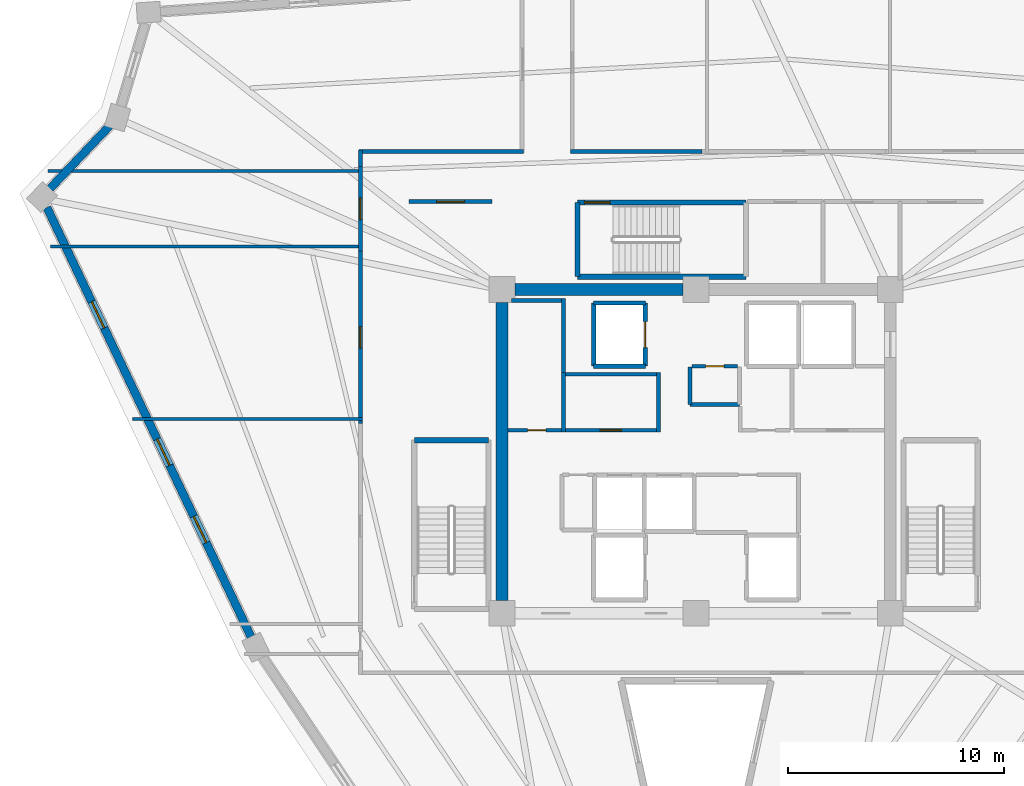
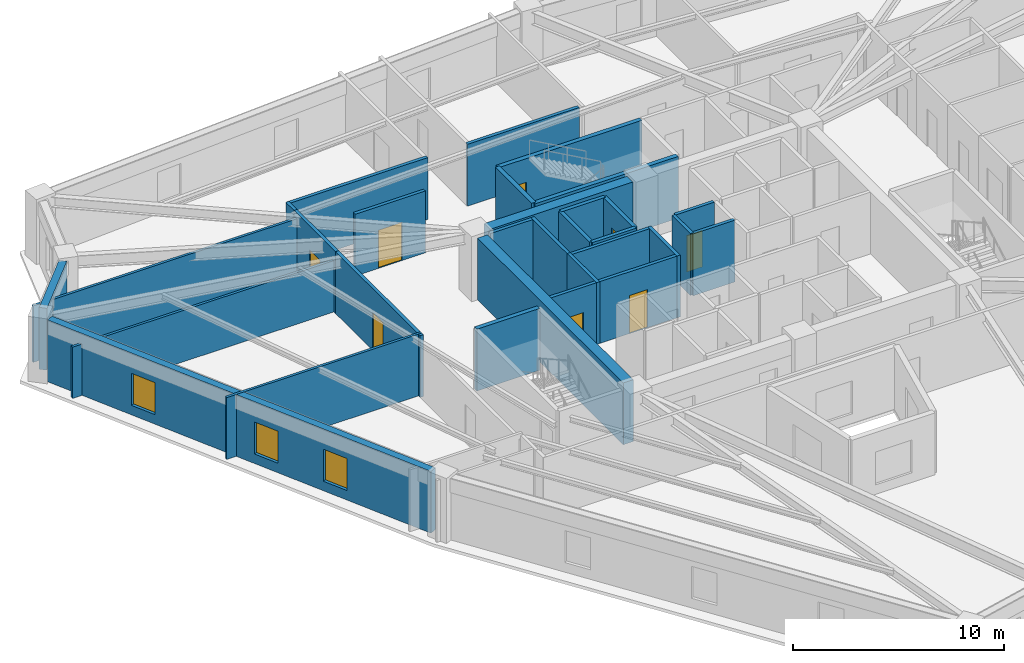
# One storey, part 5 of 8: 31 walls, 8 doors, 3 windows, 11 openings.
"""IFC4 building model written with IfcOpenShell, lengths in metres."""

import ifcopenshell
import ifcopenshell.guid

model = None  # the IFC model being written
_history = None  # IfcOwnerHistory: only IFC2X3 demands one
_inside = {}  # id of a spatial element -> (the spatial element, [elements in it])
_under = {}  # id of a project, library or spatial element -> (it, [spatial elements below it])
_declared = {}  # id of a project -> (the project, [libraries it declares])
_typed = {}  # id of a type object -> (the type object, [elements of that type])
_made_of = {}  # id of a material, layer set ... -> (it, [elements and type objects made of it])


def new_model(schema):
    """Start an empty IFC model of exactly this schema.

    Asked for "IFC4X3", IfcOpenShell would pick the latest addendum, in which some entities
    have other attributes; the version numbers below select the first issue.
    IFC2X3 requires an IfcOwnerHistory on every rooted entity: one is made here for all.
    """
    global model, _history
    if schema == "IFC4X3":
        model = ifcopenshell.file(schema_version=(4, 3, 0, 0))
    else:
        model = ifcopenshell.file(schema=schema)
    _inside.clear()
    _under.clear()
    _declared.clear()
    _typed.clear()
    _made_of.clear()
    _history = None
    if model.schema == "IFC2X3":
        org = make("IfcOrganization", Name="unknown")
        user = make(
            "IfcPersonAndOrganization",
            ThePerson=make("IfcPerson", FamilyName="unknown"),
            TheOrganization=org,
        )
        app = make(
            "IfcApplication",
            ApplicationDeveloper=org,
            Version="unknown",
            ApplicationFullName="unknown",
            ApplicationIdentifier="unknown",
        )
        _history = make(
            "IfcOwnerHistory",
            OwningUser=user,
            OwningApplication=app,
            ChangeAction="ADDED",
            CreationDate=0,
        )
    return model


def make(cls, **values):
    """One entity of the class cls with the attributes given. An attribute that is None is left unset."""
    return model.create_entity(
        cls, **{name: value for name, value in values.items() if value is not None}
    )


def rooted(cls, **values):
    """An entity with a GlobalId (a new one), such as an element, a storey or a relation."""
    return make(cls, GlobalId=ifcopenshell.guid.new(), OwnerHistory=_history, **values)


def si_unit(unit_type, name, prefix=None):
    """IfcSIUnit, for example si_unit("LENGTHUNIT", "METRE", prefix="MILLI")."""
    return make("IfcSIUnit", UnitType=unit_type, Prefix=prefix, Name=name)


def assignment(units):
    """IfcUnitAssignment: the units of a project."""
    return None if units is None else make("IfcUnitAssignment", Units=units)


def point(xyz):
    """IfcCartesianPoint."""
    return None if xyz is None else make("IfcCartesianPoint", Coordinates=xyz)


def direction(xyz):
    """IfcDirection."""
    return None if xyz is None else make("IfcDirection", DirectionRatios=xyz)


def frame(location, z_axis=None, x_axis=None):
    """IfcAxis2Placement3D, a coordinate frame: its origin and axes. An axis left out is left unset."""
    return make(
        "IfcAxis2Placement3D",
        Location=point(location),
        Axis=direction(z_axis),
        RefDirection=direction(x_axis),
    )


def frame_2d(location, x_axis=None):
    """IfcAxis2Placement2D, a coordinate frame in the plane: its origin and x axis."""
    return make(
        "IfcAxis2Placement2D", Location=point(location), RefDirection=direction(x_axis)
    )


def origin():
    """The frame at (0, 0, 0) with its axes left unset."""
    return frame((0.0, 0.0, 0.0))


def place(relative_to, where):
    """IfcLocalPlacement: puts the frame where relative to a parent placement (None: the world)."""
    return make(
        "IfcLocalPlacement", PlacementRelTo=relative_to, RelativePlacement=where
    )


def context(
    kind, dimensions, precision=None, world=None, true_north=None, identifier=None
):
    """IfcGeometricRepresentationContext, for example the 3D "Model" context."""
    return make(
        "IfcGeometricRepresentationContext",
        ContextIdentifier=identifier,
        ContextType=kind,
        CoordinateSpaceDimension=dimensions,
        Precision=precision,
        WorldCoordinateSystem=world,
        TrueNorth=true_north,
    )


def subcontext(parent, identifier, kind, view, scale=None):
    """IfcGeometricRepresentationSubContext, for example "Body" below "Model"."""
    return make(
        "IfcGeometricRepresentationSubContext",
        ContextIdentifier=identifier,
        ContextType=kind,
        ParentContext=parent,
        TargetScale=scale,
        TargetView=view,
    )


def project(units=None, contexts=None):
    """IfcProject with its units and contexts."""
    return rooted(
        "IfcProject",
        Name="project",
        RepresentationContexts=contexts,
        UnitsInContext=assignment(units),
    )


def spatial(cls, under=None, at=None, **own):
    """A site, building, storey or space (cls), placed at a placement, below another one or the project."""
    s = rooted(cls, ObjectPlacement=at, **own)
    if under is not None:
        _under.setdefault(under.id(), (under, []))[1].append(s)
    return s


def profile(cls, at=None, kind="AREA", **sizes):
    """A parametric profile (cls). Its sizes go by their IFC names, for example OverallWidth=200.0."""
    return make(cls, ProfileType=kind, Position=at, **sizes)


def rectangle(**sizes):
    """IfcRectangleProfileDef."""
    return profile("IfcRectangleProfileDef", **sizes)


def extrude(swept, where, along, depth):
    """IfcExtrudedAreaSolid: the profile swept, set in the frame where, extruded along a direction by depth."""
    return make(
        "IfcExtrudedAreaSolid",
        SweptArea=swept,
        Position=where,
        ExtrudedDirection=direction(along),
        Depth=depth,
    )


def shape(context_of_items, identifier, shape_type, items):
    """IfcShapeRepresentation: the items that make up one representation, for example the "Body"."""
    return make(
        "IfcShapeRepresentation",
        ContextOfItems=context_of_items,
        RepresentationIdentifier=identifier,
        RepresentationType=shape_type,
        Items=items,
    )


def source(mapping_origin, context_of_items, identifier, shape_type, items):
    """IfcRepresentationMap: a shape defined once, which mapped items show again and again."""
    return make(
        "IfcRepresentationMap",
        MappingOrigin=mapping_origin,
        MappedRepresentation=shape(context_of_items, identifier, shape_type, items),
    )


def transform(
    local_origin,
    x_axis=None,
    y_axis=None,
    z_axis=None,
    scale=None,
    scale2=None,
    scale3=None,
    uniform=True,
):
    """IfcCartesianTransformationOperator3D, or its non-uniform kind. x_axis, y_axis, z_axis: its Axis1, 2, 3."""
    if uniform:
        return make(
            "IfcCartesianTransformationOperator3D",
            Axis1=direction(x_axis),
            Axis2=direction(y_axis),
            LocalOrigin=point(local_origin),
            Scale=scale,
            Axis3=direction(z_axis),
        )
    return make(
        "IfcCartesianTransformationOperator3DnonUniform",
        Axis1=direction(x_axis),
        Axis2=direction(y_axis),
        LocalOrigin=point(local_origin),
        Scale=scale,
        Axis3=direction(z_axis),
        Scale2=scale2,
        Scale3=scale3,
    )


def mapped(mapping_source, mapping_target):
    """IfcMappedItem: shows the shape of a source again, moved by a transform."""
    return make(
        "IfcMappedItem", MappingSource=mapping_source, MappingTarget=mapping_target
    )


def material(Name=None, Category=None):
    """IfcMaterial."""
    return make("IfcMaterial", Name=Name, Category=Category)


def layer(
    of_material, thickness, ventilated=None, Name=None, Category=None, Priority=None
):
    """IfcMaterialLayer: one layer of a wall or slab, of a material (None: an air gap)."""
    return make(
        "IfcMaterialLayer",
        Material=of_material,
        LayerThickness=thickness,
        IsVentilated=ventilated,
        Name=Name,
        Category=Category,
        Priority=Priority,
    )


def layer_set(layers, Name=None):
    """IfcMaterialLayerSet."""
    return make("IfcMaterialLayerSet", MaterialLayers=layers, LayerSetName=Name)


def made_of(thing, what):
    """Note that an element or type object is made of a material, layer set ...; save() writes the relation."""
    if what is not None:
        _made_of.setdefault(what.id(), (what, []))[1].append(thing)
    return thing


def type_object(cls, material=None, **own):
    """A type object (cls), such as IfcWallType, which elements share."""
    return made_of(rooted(cls, **own), material)


def element(
    cls,
    number,
    at=None,
    inside=None,
    cuts=None,
    type_object=None,
    material=None,
    context=None,
    identifier="Body",
    shape_type=None,
    held_by="IfcProductDefinitionShape",
    body=None,
    shapes=None,
    **own,
):
    """One element of the class cls, such as IfcWall. Its Tag is "e" and its number.

    at: its placement. inside: the storey or other place that contains it. cuts: it is an
    opening in that element (IfcRelVoidsElement). A single representation is given by context,
    identifier, shape_type and body (its items); several are given by shapes. held_by: the class
    of the entity that holds the representations. save() writes the other relations.
    """
    e = rooted(cls, Tag="e%d" % number, ObjectPlacement=at, **own)
    if body is not None:
        shapes = [shape(context, identifier, shape_type, body)]
    if shapes is not None:
        e.Representation = make(held_by, Representations=shapes)
    if inside is not None:
        _inside.setdefault(inside.id(), (inside, []))[1].append(e)
    if cuts is not None:
        rooted(
            "IfcRelVoidsElement", RelatingBuildingElement=cuts, RelatedOpeningElement=e
        )
    if type_object is not None:
        _typed.setdefault(type_object.id(), (type_object, []))[1].append(e)
    return made_of(e, material)


def fill(opening, filler):
    """IfcRelFillsElement: the door or window that sits in an opening."""
    return rooted(
        "IfcRelFillsElement",
        RelatingOpeningElement=opening,
        RelatedBuildingElement=filler,
    )


def aggregate(whole, parts):
    """IfcRelAggregates: a whole, such as a stair, and the parts it consists of."""
    return rooted("IfcRelAggregates", RelatingObject=whole, RelatedObjects=parts)


def save(model, path):
    """Write the relations noted so far, then the file.

    IfcRelAggregates (storeys below a building ...), IfcRelContainedInSpatialStructure (elements
    in a storey), IfcRelDefinesByType, IfcRelAssociatesMaterial and IfcRelDeclares: one each for
    every whole, place, type object, material and project.
    """
    for whole, parts in _under.values():
        aggregate(whole, parts)
    for where, things in _inside.values():
        rooted(
            "IfcRelContainedInSpatialStructure",
            RelatedElements=things,
            RelatingStructure=where,
        )
    for kind, things in _typed.values():
        rooted("IfcRelDefinesByType", RelatedObjects=things, RelatingType=kind)
    for what, things in _made_of.values():
        rooted("IfcRelAssociatesMaterial", RelatedObjects=things, RelatingMaterial=what)
    for by, libraries in _declared.values():
        rooted("IfcRelDeclares", RelatingContext=by, RelatedDefinitions=libraries)
    model.write(path)


model = new_model("IFC4")

# Units and contexts
model_context = context("Model", 3, precision=1e-05, world=origin(), true_north=direction((0.0, 1.0)))
body_context = subcontext(model_context, "Body", "Model", "MODEL_VIEW")
ifc_project = project(units=[si_unit("LENGTHUNIT", "METRE"), si_unit("AREAUNIT", "SQUARE_METRE"), si_unit("VOLUMEUNIT", "CUBIC_METRE"), si_unit("PLANEANGLEUNIT", "RADIAN"), si_unit("MASSUNIT", "GRAM", prefix="KILO")], contexts=[model_context])

# Site, building, storey
site_placement = place(None, origin())
site = spatial("IfcSite", under=ifc_project, at=site_placement, CompositionType="ELEMENT")
building_placement = place(site_placement, origin())
building = spatial("IfcBuilding", under=site, at=building_placement, Name="Liaohun Quay Tower", CompositionType="ELEMENT")
storey_placement = place(building_placement, frame((0.0, 0.0, 305.25)))
storey = spatial("IfcBuildingStorey", under=building, at=storey_placement, Name="L79", CompositionType="ELEMENT", Elevation=305.25)

# Walls
ifc_material_1 = material(Name="Concrete C50", Category="concrete")
ifc_layer_1 = layer(ifc_material_1, 0.550048828125, Name="Concrete C50", Category="concrete")
ifc_layer_set_1 = layer_set([ifc_layer_1], Name="Concrete C50")
wall_type_1 = type_object("IfcWallType", Name="WAL-COR-Z4", PredefinedType="SHEAR", material=ifc_layer_set_1)
wall_1_placement = place(storey_placement, frame((51.60009765625, 61.5, 0.0), z_axis=(0.0, 0.0, 1.0), x_axis=(1.0, 0.0, 0.0)))
element("IfcWall", 1, at=wall_1_placement, inside=storey, type_object=wall_type_1, Name="L79 Central Core Shear Wall N-W", PredefinedType="SHEAR", context=body_context, shape_type="SweptSolid", body=[
    extrude(rectangle(XDim=7.7998046875, YDim=0.550048828125, at=frame_2d((3.89990234375, 0.0))), origin(), (0.0, 0.0, 1.0), 3.570068359375),
])
wall_2_placement = place(storey_placement, frame((51.0, 47.10009765625, 0.0), z_axis=(0.0, 0.0, 1.0), x_axis=(0.0, 1.0, 0.0)))
element("IfcWall", 2, at=wall_2_placement, inside=storey, type_object=wall_type_1, Name="L79 Central Core Shear Wall W", PredefinedType="SHEAR", context=body_context, shape_type="SweptSolid", body=[
    extrude(rectangle(XDim=13.7998046875, YDim=0.550048828125, at=frame_2d((6.89990234375, 0.0))), origin(), (0.0, 0.0, 1.0), 3.570068359375),
])
ifc_material_2 = material(Name="Precast concrete C50 insulated sandwich", Category="concrete")
ifc_layer_2 = layer(ifc_material_2, 0.3798828125, Name="Precast concrete C50 insulated sandwich", Category="concrete")
ifc_layer_set_2 = layer_set([ifc_layer_2], Name="Precast concrete C50 insulated sandwich")
wall_type_2 = type_object("IfcWallType", Name="WAL-EXT-Z34", PredefinedType="SOLIDWALL", material=ifc_layer_set_2)
wall_3_placement = place(storey_placement, frame((32.81591796875, 69.089111328125, 0.0), z_axis=(0.0, 0.0, 1.0), x_axis=(-0.689291723618, -0.72448389889, 0.0)))
element("IfcWall", 3, at=wall_3_placement, inside=storey, type_object=wall_type_2, Name="L79 Brutalist Precast Pier Wall 09", PredefinedType="SOLIDWALL", context=body_context, shape_type="SweptSolid", body=[
    extrude(rectangle(XDim=4.009765625, YDim=0.3798828125, at=frame_2d((2.0048828125, 0.0))), origin(), (0.0, 0.0, 1.0), 3.570068359375),
])

# Wall, openings, windows
wall_4_placement = place(storey_placement, frame((29.912109375, 65.304931640625, 0.0), z_axis=(0.0, 0.0, 1.0), x_axis=(0.429331226257, -0.903147107708, 0.0)))
wall_4 = element("IfcWall", 4, at=wall_4_placement, inside=storey, type_object=wall_type_2, Name="L79 Brutalist Precast Pier Wall 10", PredefinedType="SOLIDWALL", context=body_context, shape_type="SweptSolid", body=[
    extrude(rectangle(XDim=22.029541015625, YDim=0.3798828125, at=frame_2d((11.0146484375, 0.0))), origin(), (0.0, 0.0, 1.0), 3.570068359375),
])
shared_shape_1 = source(origin(), body_context, "Body", "SweptSolid", [
    extrude(rectangle(XDim=1.35009765625, YDim=1.85009765625, at=frame_2d((0.675048828125, 0.925048828125))), frame((0.0, 0.199951171875, 0.0), z_axis=(0.0, -1.0, 0.0), x_axis=(1.0, 0.0, 0.0)), (0.0, 0.0, 1.0), 0.39990234375),
])
opening_1_placement = place(wall_4_placement, frame((4.83203125, 0.0, 0.550048828125)))
opening_1 = element("IfcOpeningElement", 5, at=opening_1_placement, cuts=wall_4, Name="Opening W04", PredefinedType="OPENING", context=body_context, shape_type="MappedRepresentation", body=[
    mapped(shared_shape_1, transform((0.0, 0.0, 0.0), x_axis=(1.0, 0.0, 0.0), y_axis=(0.0, 1.0, 0.0), z_axis=(0.0, 0.0, 1.0), scale=1.0)),
])
opening_2_placement = place(wall_4_placement, frame((11.889892578125, 0.0, 0.550048828125)))
opening_2 = element("IfcOpeningElement", 6, at=opening_2_placement, cuts=wall_4, Name="Opening W04", PredefinedType="OPENING", context=body_context, shape_type="MappedRepresentation", body=[
    mapped(shared_shape_1, transform((0.0, 0.0, 0.0), x_axis=(1.0, 0.0, 0.0), y_axis=(0.0, 1.0, 0.0), z_axis=(0.0, 0.0, 1.0), scale=1.0)),
])
opening_3_placement = place(wall_4_placement, frame((15.846923828125, 0.0, 0.550048828125)))
opening_3 = element("IfcOpeningElement", 7, at=opening_3_placement, cuts=wall_4, Name="Opening W04", PredefinedType="OPENING", context=body_context, shape_type="MappedRepresentation", body=[
    mapped(shared_shape_1, transform((0.0, 0.0, 0.0), x_axis=(1.0, 0.0, 0.0), y_axis=(0.0, 1.0, 0.0), z_axis=(0.0, 0.0, 1.0), scale=1.0)),
])
ifc_material_3 = material(Name="Triple Low-E argon glazing in thermally broken aluminium", Category="aluminium")
window_type = type_object("IfcWindowType", Name="WIN-PUN-Z4", PartitioningType="SINGLE_PANEL", PredefinedType="WINDOW", material=ifc_material_3)
shared_shape_2 = source(origin(), body_context, "Body", "SweptSolid", [
    extrude(rectangle(XDim=1.35009765625, YDim=1.85009765625, at=frame_2d((0.675048828125, 0.925048828125))), frame((0.0, 0.030029296875, 0.0), z_axis=(0.0, -1.0, 0.0), x_axis=(1.0, 0.0, 0.0)), (0.0, 0.0, 1.0), 0.06005859375),
])
window_1_placement = place(opening_1_placement, origin())
window_1 = element("IfcWindow", 8, at=window_1_placement, inside=storey, type_object=window_type, Name="L79 Recessed Cold-Climate Punched Window 10-1", OverallHeight=1.85009765625, OverallWidth=1.35009765625, PartitioningType="SINGLE_PANEL", PredefinedType="WINDOW", context=body_context, shape_type="MappedRepresentation", body=[
    mapped(shared_shape_2, transform((0.0, 0.0, 0.0), x_axis=(1.0, 0.0, 0.0), y_axis=(0.0, 1.0, 0.0), z_axis=(0.0, 0.0, 1.0), scale=1.0)),
])
fill(opening_1, window_1)
window_2_placement = place(opening_2_placement, origin())
window_2 = element("IfcWindow", 9, at=window_2_placement, inside=storey, type_object=window_type, Name="L79 Recessed Cold-Climate Punched Window 10-2", OverallHeight=1.85009765625, OverallWidth=1.35009765625, PartitioningType="SINGLE_PANEL", PredefinedType="WINDOW", context=body_context, shape_type="MappedRepresentation", body=[
    mapped(shared_shape_2, transform((0.0, 0.0, 0.0), x_axis=(1.0, 0.0, 0.0), y_axis=(0.0, 1.0, 0.0), z_axis=(0.0, 0.0, 1.0), scale=1.0)),
])
fill(opening_2, window_2)
window_3_placement = place(opening_3_placement, origin())
window_3 = element("IfcWindow", 10, at=window_3_placement, inside=storey, type_object=window_type, Name="L79 Recessed Cold-Climate Punched Window 10-3", OverallHeight=1.85009765625, OverallWidth=1.35009765625, PartitioningType="SINGLE_PANEL", PredefinedType="WINDOW", context=body_context, shape_type="MappedRepresentation", body=[
    mapped(shared_shape_2, transform((0.0, 0.0, 0.0), x_axis=(1.0, 0.0, 0.0), y_axis=(0.0, 1.0, 0.0), z_axis=(0.0, 0.0, 1.0), scale=1.0)),
])
fill(opening_3, window_3)

# Wall, opening, door
ifc_material_4 = material(Name="Autoclaved aerated concrete blockwork", Category="masonry")
ifc_layer_3 = layer(ifc_material_4, 0.179931640625, Name="Autoclaved aerated concrete blockwork", Category="masonry")
ifc_layer_set_3 = layer_set([ifc_layer_3], Name="Autoclaved aerated concrete blockwork")
wall_type_3 = type_object("IfcWallType", Name="WAL-PRT-COR", PredefinedType="PARTITIONING", material=ifc_layer_set_3)
wall_5_placement = place(storey_placement, frame((53.93994140625, 54.97998046875, 0.0), z_axis=(0.0, 0.0, 1.0), x_axis=(1.0, 0.0, 0.0)))
wall_5 = element("IfcWall", 11, at=wall_5_placement, inside=storey, type_object=wall_type_3, Name="L79 Interior Partition Wall 002", PredefinedType="PARTITIONING", context=body_context, shape_type="SweptSolid", body=[
    extrude(rectangle(XDim=4.219970703125, YDim=0.179931640625, at=frame_2d((2.10986328125, 0.0))), origin(), (0.0, 0.0, 1.0), 3.570068359375),
])
shared_shape_3 = source(origin(), body_context, "Body", "SweptSolid", [
    extrude(rectangle(XDim=1.0, YDim=2.199951171875, at=frame_2d((0.5, 1.10009765625))), frame((0.0, 0.099853515625, 0.0), z_axis=(0.0, -1.0, 0.0), x_axis=(1.0, 0.0, 0.0)), (0.0, 0.0, 1.0), 0.199951171875),
])
opening_4_placement = place(wall_5_placement, frame((1.610107421875, 0.0, 0.0)))
opening_4 = element("IfcOpeningElement", 12, at=opening_4_placement, cuts=wall_5, Name="Opening OD1", PredefinedType="OPENING", context=body_context, shape_type="MappedRepresentation", body=[
    mapped(shared_shape_3, transform((0.0, 0.0, 0.0), x_axis=(1.0, 0.0, 0.0), y_axis=(0.0, 1.0, 0.0), z_axis=(0.0, 0.0, 1.0), scale=1.0)),
])
ifc_material_5 = material(Name="Solid-core oak veneer timber leaf in steel frame", Category="steel")
door_type_1 = type_object("IfcDoorType", Name="DOR-OFF-1000", OperationType="NOTDEFINED", PredefinedType="DOOR", material=ifc_material_5)
shared_shape_4 = source(origin(), body_context, "Body", "SweptSolid", [
    extrude(rectangle(XDim=1.0, YDim=2.199951171875, at=frame_2d((0.5, 1.10009765625))), frame((0.0, 0.02490234375, 0.0), z_axis=(0.0, -1.0, 0.0), x_axis=(1.0, 0.0, 0.0)), (0.0, 0.0, 1.0), 0.050048828125),
])
door_1_placement = place(opening_4_placement, origin())
door_1 = element("IfcDoor", 13, at=door_1_placement, inside=storey, type_object=door_type_1, Name="L79 Core Staff Pantry and Tea Room Door", OperationType="SINGLE_SWING_RIGHT", OverallHeight=2.199951171875, OverallWidth=1.0, PredefinedType="DOOR", context=body_context, shape_type="MappedRepresentation", body=[
    mapped(shared_shape_4, transform((0.0, 0.0, 0.0), x_axis=(1.0, 0.0, 0.0), y_axis=(0.0, 1.0, 0.0), z_axis=(0.0, 0.0, 1.0), scale=1.0)),
])
fill(opening_4, door_1)

wall_6_placement = place(storey_placement, frame((51.27490234375, 54.97998046875, 0.0), z_axis=(0.0, 0.0, 1.0), x_axis=(1.0, 0.0, 0.0)))
wall_6 = element("IfcWall", 14, at=wall_6_placement, inside=storey, type_object=wall_type_3, Name="L79 Interior Partition Wall 003", PredefinedType="PARTITIONING", context=body_context, shape_type="SweptSolid", body=[
    extrude(rectangle(XDim=2.485107421875, YDim=0.179931640625, at=frame_2d((1.24267578125, 0.0))), origin(), (0.0, 0.0, 1.0), 3.570068359375),
])
shared_shape_5 = source(origin(), body_context, "Body", "SweptSolid", [
    extrude(rectangle(XDim=0.85009765625, YDim=2.10009765625, at=frame_2d((0.425048828125, 1.050048828125))), frame((0.0, 0.099853515625, 0.0), z_axis=(0.0, -1.0, 0.0), x_axis=(1.0, 0.0, 0.0)), (0.0, 0.0, 1.0), 0.199951171875),
])
opening_5_placement = place(wall_6_placement, frame((0.9150390625, 0.0, 0.0)))
opening_5 = element("IfcOpeningElement", 15, at=opening_5_placement, cuts=wall_6, Name="Opening AD1", PredefinedType="OPENING", context=body_context, shape_type="MappedRepresentation", body=[
    mapped(shared_shape_5, transform((0.0, 0.0, 0.0), x_axis=(1.0, 0.0, 0.0), y_axis=(0.0, 1.0, 0.0), z_axis=(0.0, 0.0, 1.0), scale=1.0)),
])
ifc_material_6 = material(Name="Steel riser inspection fire door", Category="steel")
door_type_2 = type_object("IfcDoorType", Name="DOR-SHF-850", OperationType="NOTDEFINED", PredefinedType="DOOR", material=ifc_material_6)
shared_shape_6 = source(origin(), body_context, "Body", "SweptSolid", [
    extrude(rectangle(XDim=0.85009765625, YDim=2.10009765625, at=frame_2d((0.425048828125, 1.050048828125))), frame((0.0, 0.02490234375, 0.0), z_axis=(0.0, -1.0, 0.0), x_axis=(1.0, 0.0, 0.0)), (0.0, 0.0, 1.0), 0.050048828125),
])
door_2_placement = place(opening_5_placement, origin())
door_2 = element("IfcDoor", 16, at=door_2_placement, inside=storey, type_object=door_type_2, Name="L79 Core High-Zone Archive and Riser Store Door", OperationType="SINGLE_SWING_LEFT", OverallHeight=2.10009765625, OverallWidth=0.85009765625, PredefinedType="DOOR", context=body_context, shape_type="MappedRepresentation", body=[
    mapped(shared_shape_6, transform((0.0, 0.0, 0.0), x_axis=(1.0, 0.0, 0.0), y_axis=(0.0, 1.0, 0.0), z_axis=(0.0, 0.0, 1.0), scale=1.0)),
])
fill(opening_5, door_2)

wall_7_placement = place(storey_placement, frame((59.81005859375, 57.949951171875, 0.0), z_axis=(0.0, 0.0, 1.0), x_axis=(1.0, 0.0, 0.0)))
wall_7 = element("IfcWall", 17, at=wall_7_placement, inside=storey, type_object=wall_type_3, Name="L79 Interior Partition Wall 006", PredefinedType="PARTITIONING", context=body_context, shape_type="SweptSolid", body=[
    extrude(rectangle(XDim=2.10986328125, YDim=0.179931640625, at=frame_2d((1.054931640625, 0.0))), origin(), (0.0, 0.0, 1.0), 3.570068359375),
])
opening_6_placement = place(wall_7_placement, frame((0.635009765625, 0.0, 0.0)))
opening_6 = element("IfcOpeningElement", 18, at=opening_6_placement, cuts=wall_7, Name="Opening AD1", PredefinedType="OPENING", context=body_context, shape_type="MappedRepresentation", body=[
    mapped(shared_shape_5, transform((0.0, 0.0, 0.0), x_axis=(1.0, 0.0, 0.0), y_axis=(0.0, 1.0, 0.0), z_axis=(0.0, 0.0, 1.0), scale=1.0)),
])
door_3_placement = place(opening_6_placement, origin())
door_3 = element("IfcDoor", 19, at=door_3_placement, inside=storey, type_object=door_type_2, Name="L79 Core Janitor and Cleaner Store Door", OperationType="SINGLE_SWING_RIGHT", OverallHeight=2.10009765625, OverallWidth=0.85009765625, PredefinedType="DOOR", context=body_context, shape_type="MappedRepresentation", body=[
    mapped(shared_shape_6, transform((0.0, 0.0, 0.0), x_axis=(1.0, 0.0, 0.0), y_axis=(0.0, 1.0, 0.0), z_axis=(0.0, 0.0, 1.0), scale=1.0)),
])
fill(opening_6, door_3)

wall_8_placement = place(storey_placement, frame((46.699951171875, 65.580078125, 0.0), z_axis=(0.0, 0.0, 1.0), x_axis=(1.0, 0.0, 0.0)))
wall_8 = element("IfcWall", 20, at=wall_8_placement, inside=storey, type_object=wall_type_3, Name="L79 Interior Partition Wall 013", PredefinedType="PARTITIONING", context=body_context, shape_type="SweptSolid", body=[
    extrude(rectangle(XDim=3.840087890625, YDim=0.179931640625, at=frame_2d((1.919921875, 0.0))), origin(), (0.0, 0.0, 1.0), 3.570068359375),
])
shared_shape_7 = source(origin(), body_context, "Body", "SweptSolid", [
    extrude(rectangle(XDim=1.300048828125, YDim=2.199951171875, at=frame_2d((0.64990234375, 1.10009765625))), frame((0.0, 0.099853515625, 0.0), z_axis=(0.0, -1.0, 0.0), x_axis=(1.0, 0.0, 0.0)), (0.0, 0.0, 1.0), 0.199951171875),
])
opening_7_placement = place(wall_8_placement, frame((1.27001953125, 0.0, 0.0)))
opening_7 = element("IfcOpeningElement", 21, at=opening_7_placement, cuts=wall_8, Name="Opening FD1", PredefinedType="OPENING", context=body_context, shape_type="MappedRepresentation", body=[
    mapped(shared_shape_7, transform((0.0, 0.0, 0.0), x_axis=(1.0, 0.0, 0.0), y_axis=(0.0, 1.0, 0.0), z_axis=(0.0, 0.0, 1.0), scale=1.0)),
])
ifc_material_7 = material(Name="Galvanised steel smokeproof fire door", Category="steel")
door_type_3 = type_object("IfcDoorType", Name="DOR-FFL-1300", OperationType="NOTDEFINED", PredefinedType="DOOR", material=ifc_material_7)
shared_shape_8 = source(origin(), body_context, "Body", "SweptSolid", [
    extrude(rectangle(XDim=1.300048828125, YDim=2.199951171875, at=frame_2d((0.64990234375, 1.10009765625))), frame((0.0, 0.02490234375, 0.0), z_axis=(0.0, -1.0, 0.0), x_axis=(1.0, 0.0, 0.0)), (0.0, 0.0, 1.0), 0.050048828125),
])
door_4_placement = place(opening_7_placement, origin())
door_4 = element("IfcDoor", 22, at=door_4_placement, inside=storey, type_object=door_type_3, Name="L79 West Core Vestibule Door", OperationType="SINGLE_SWING_LEFT", OverallHeight=2.199951171875, OverallWidth=1.300048828125, PredefinedType="DOOR", context=body_context, shape_type="MappedRepresentation", body=[
    mapped(shared_shape_8, transform((0.0, 0.0, 0.0), x_axis=(1.0, 0.0, 0.0), y_axis=(0.0, 1.0, 0.0), z_axis=(0.0, 0.0, 1.0), scale=1.0)),
])
fill(opening_7, door_4)

wall_9_placement = place(storey_placement, frame((44.43994140625, 63.284912109375, 0.0), z_axis=(0.0, 0.0, 1.0), x_axis=(0.0, 1.0, 0.0)))
wall_9 = element("IfcWall", 23, at=wall_9_placement, inside=storey, type_object=wall_type_3, Name="L79 Interior Partition Wall 020", PredefinedType="PARTITIONING", context=body_context, shape_type="SweptSolid", body=[
    extrude(rectangle(XDim=3.93017578125, YDim=0.179931640625, at=frame_2d((1.965087890625, 0.0))), origin(), (0.0, 0.0, 1.0), 3.570068359375),
])
opening_8_placement = place(wall_9_placement, frame((1.465087890625, 0.0, 0.0)))
opening_8 = element("IfcOpeningElement", 24, at=opening_8_placement, cuts=wall_9, Name="Opening OD1", PredefinedType="OPENING", context=body_context, shape_type="MappedRepresentation", body=[
    mapped(shared_shape_3, transform((0.0, 0.0, 0.0), x_axis=(1.0, 0.0, 0.0), y_axis=(0.0, 1.0, 0.0), z_axis=(0.0, 0.0, 1.0), scale=1.0)),
])
door_5_placement = place(opening_8_placement, origin())
door_5 = element("IfcDoor", 25, at=door_5_placement, inside=storey, type_object=door_type_1, Name="L79 Staff Tea Kitchen and Pantry 06 Door", OperationType="SINGLE_SWING_RIGHT", OverallHeight=2.199951171875, OverallWidth=1.0, PredefinedType="DOOR", context=body_context, shape_type="MappedRepresentation", body=[
    mapped(shared_shape_4, transform((0.0, 0.0, 0.0), x_axis=(1.0, 0.0, 0.0), y_axis=(0.0, 1.0, 0.0), z_axis=(0.0, 0.0, 1.0), scale=1.0)),
])
fill(opening_8, door_5)

wall_10_placement = place(storey_placement, frame((44.43994140625, 55.284912109375, 0.0), z_axis=(0.0, 0.0, 1.0), x_axis=(0.0, 1.0, 0.0)))
wall_10 = element("IfcWall", 26, at=wall_10_placement, inside=storey, type_object=wall_type_3, Name="L79 Interior Partition Wall 021", PredefinedType="PARTITIONING", context=body_context, shape_type="SweptSolid", body=[
    extrude(rectangle(XDim=8.0, YDim=0.179931640625, at=frame_2d((4.0, 0.0))), origin(), (0.0, 0.0, 1.0), 3.570068359375),
])
opening_9_placement = place(wall_10_placement, frame((3.5, 0.0, 0.0)))
opening_9 = element("IfcOpeningElement", 27, at=opening_9_placement, cuts=wall_10, Name="Opening OD1", PredefinedType="OPENING", context=body_context, shape_type="MappedRepresentation", body=[
    mapped(shared_shape_3, transform((0.0, 0.0, 0.0), x_axis=(1.0, 0.0, 0.0), y_axis=(0.0, 1.0, 0.0), z_axis=(0.0, 0.0, 1.0), scale=1.0)),
])
door_6_placement = place(opening_9_placement, origin())
door_6 = element("IfcDoor", 28, at=door_6_placement, inside=storey, type_object=door_type_1, Name="L79 Engineering Model Workshop 07 Door", OperationType="SINGLE_SWING_LEFT", OverallHeight=2.199951171875, OverallWidth=1.0, PredefinedType="DOOR", context=body_context, shape_type="MappedRepresentation", body=[
    mapped(shared_shape_4, transform((0.0, 0.0, 0.0), x_axis=(1.0, 0.0, 0.0), y_axis=(0.0, 1.0, 0.0), z_axis=(0.0, 0.0, 1.0), scale=1.0)),
])
fill(opening_9, door_6)

# Walls
wall_11_placement = place(storey_placement, frame((59.719970703125, 56.179931640625, 0.0), z_axis=(0.0, 0.0, 1.0), x_axis=(0.0, 1.0, 0.0)))
element("IfcWall", 29, at=wall_11_placement, inside=storey, type_object=wall_type_3, Name="L79 Interior Partition Wall 028", PredefinedType="PARTITIONING", context=body_context, shape_type="SweptSolid", body=[
    extrude(rectangle(XDim=1.739990234375, YDim=0.179931640625, at=frame_2d((0.8701171875, 0.0))), origin(), (0.0, 0.0, 1.0), 3.570068359375),
])
wall_12_placement = place(storey_placement, frame((59.719970703125, 56.179931640625, 0.0), z_axis=(0.0, 0.0, 1.0), x_axis=(1.0, 0.0, 0.0)))
element("IfcWall", 30, at=wall_12_placement, inside=storey, type_object=wall_type_3, Name="L79 Interior Partition Wall 030", PredefinedType="PARTITIONING", context=body_context, shape_type="SweptSolid", body=[
    extrude(rectangle(XDim=2.2900390625, YDim=0.179931640625, at=frame_2d((1.14501953125, 0.0))), origin(), (0.0, 0.0, 1.0), 3.570068359375),
])
wall_13_placement = place(storey_placement, frame((54.18994140625, 67.909912109375, 0.0), z_axis=(0.0, 0.0, 1.0), x_axis=(1.0, 0.0, 0.0)))
element("IfcWall", 31, at=wall_13_placement, inside=storey, type_object=wall_type_3, Name="L79 Interior Partition Wall 042", PredefinedType="PARTITIONING", context=body_context, shape_type="SweptSolid", body=[
    extrude(rectangle(XDim=6.094970703125, YDim=0.179931640625, at=frame_2d((3.04736328125, 0.0))), origin(), (0.0, 0.0, 1.0), 3.570068359375),
])
wall_14_placement = place(storey_placement, frame((44.3701171875, 67.909912109375, 0.0), z_axis=(0.0, 0.0, 1.0), x_axis=(1.0, 0.0, 0.0)))
element("IfcWall", 32, at=wall_14_placement, inside=storey, type_object=wall_type_3, Name="L79 Interior Partition Wall 043", PredefinedType="PARTITIONING", context=body_context, shape_type="SweptSolid", body=[
    extrude(rectangle(XDim=7.639892578125, YDim=0.179931640625, at=frame_2d((3.81982421875, 0.0))), origin(), (0.0, 0.0, 1.0), 3.570068359375),
])
wall_15_placement = place(storey_placement, frame((44.43994140625, 67.215087890625, 0.0), z_axis=(0.0, 0.0, 1.0), x_axis=(0.0, 1.0, 0.0)))
element("IfcWall", 33, at=wall_15_placement, inside=storey, type_object=wall_type_3, Name="L79 Interior Partition Wall 044", PredefinedType="PARTITIONING", context=body_context, shape_type="SweptSolid", body=[
    extrude(rectangle(XDim=0.764892578125, YDim=0.179931640625, at=frame_2d((0.38232421875, 0.0))), origin(), (0.0, 0.0, 1.0), 3.570068359375),
])
for number, where, z_axis, x_axis, name in (
    (34, (53.85009765625, 54.889892578125, 0.0), (0.0, 0.0, 1.0), (0.0, 1.0, 0.0), "L79 Interior Partition Wall 061"),
    (35, (58.25, 54.889892578125, 0.0), (0.0, 0.0, 1.0), (0.0, 1.0, 0.0), "L79 Interior Partition Wall 062"),
):
    element("IfcWall", number, at=place(storey_placement, frame(where, z_axis=z_axis, x_axis=x_axis)), inside=storey, type_object=wall_type_3, Name=name, PredefinedType="PARTITIONING", context=body_context, shape_type="SweptSolid", body=[
        extrude(rectangle(XDim=2.780029296875, YDim=0.179931640625, at=frame_2d((1.39013671875, 0.0))), origin(), (0.0, 0.0, 1.0), 3.570068359375),
    ])
wall_16_placement = place(storey_placement, frame((53.93994140625, 57.580078125, 0.0), z_axis=(0.0, 0.0, 1.0), x_axis=(1.0, 0.0, 0.0)))
element("IfcWall", 36, at=wall_16_placement, inside=storey, type_object=wall_type_3, Name="L79 Interior Partition Wall 063", PredefinedType="PARTITIONING", context=body_context, shape_type="SweptSolid", body=[
    extrude(rectangle(XDim=4.219970703125, YDim=0.179931640625, at=frame_2d((2.10986328125, 0.0))), origin(), (0.0, 0.0, 1.0), 3.570068359375),
])
wall_17_placement = place(storey_placement, frame((53.85009765625, 57.669921875, 0.0), z_axis=(0.0, 0.0, 1.0), x_axis=(0.0, 1.0, 0.0)))
element("IfcWall", 37, at=wall_17_placement, inside=storey, type_object=wall_type_3, Name="L79 Interior Partition Wall 064", PredefinedType="PARTITIONING", context=body_context, shape_type="SweptSolid", body=[
    extrude(rectangle(XDim=3.420166015625, YDim=0.179931640625, at=frame_2d((1.7099609375, 0.0))), origin(), (0.0, 0.0, 1.0), 3.570068359375),
])
wall_18_placement = place(storey_placement, frame((51.43701171875, 61.0, 0.0), z_axis=(0.0, 0.0, 1.0), x_axis=(1.0, 0.0, 0.0)))
element("IfcWall", 38, at=wall_18_placement, inside=storey, type_object=wall_type_3, Name="L79 Interior Partition Wall 065", PredefinedType="PARTITIONING", context=body_context, shape_type="SweptSolid", body=[
    extrude(rectangle(XDim=2.322998046875, YDim=0.179931640625, at=frame_2d((1.16162109375, 0.0))), origin(), (0.0, 0.0, 1.0), 3.570068359375),
])
ifc_material_8 = material(Name="Gypsum board on twin steel studs", Category="steel")
ifc_layer_4 = layer(ifc_material_8, 0.139892578125, Name="Gypsum board on twin steel studs", Category="steel")
ifc_layer_set_4 = layer_set([ifc_layer_4], Name="Gypsum board on twin steel studs")
wall_type_4 = type_object("IfcWallType", Name="WAL-PRT-OFF", PredefinedType="PARTITIONING", material=ifc_layer_set_4)
wall_19_placement = place(storey_placement, frame((44.5400390625, 55.5, 0.0), z_axis=(0.0, 0.0, 1.0), x_axis=(-1.0, 0.0, 0.0)))
element("IfcWall", 39, at=wall_19_placement, inside=storey, type_object=wall_type_4, Name="L79 Interior Partition Wall 051", PredefinedType="PARTITIONING", context=body_context, shape_type="SweptSolid", body=[
    extrude(rectangle(XDim=10.6640625, YDim=0.139892578125, at=frame_2d((5.33203125, 0.0))), origin(), (0.0, 0.0, 1.0), 3.570068359375),
])
wall_20_placement = place(storey_placement, frame((44.5400390625, 63.5, 0.0), z_axis=(0.0, 0.0, 1.0), x_axis=(-1.0, 0.0, 0.0)))
element("IfcWall", 40, at=wall_20_placement, inside=storey, type_object=wall_type_4, Name="L79 Interior Partition Wall 052", PredefinedType="PARTITIONING", context=body_context, shape_type="SweptSolid", body=[
    extrude(rectangle(XDim=14.467041015625, YDim=0.139892578125, at=frame_2d((7.2333984375, 0.0))), origin(), (0.0, 0.0, 1.0), 2.967041015625),
])
wall_21_placement = place(storey_placement, frame((44.5400390625, 67.0, 0.0), z_axis=(0.0, 0.0, 1.0), x_axis=(-1.0, 0.0, 0.0)))
element("IfcWall", 41, at=wall_21_placement, inside=storey, type_object=wall_type_4, Name="L79 Interior Partition Wall 053", PredefinedType="PARTITIONING", context=body_context, shape_type="SweptSolid", body=[
    extrude(rectangle(XDim=14.5810546875, YDim=0.139892578125, at=frame_2d((7.29052734375, 0.0))), origin(), (0.0, 0.0, 1.0), 3.260986328125),
])
ifc_layer_5 = layer(ifc_material_1, 0.239990234375, Name="Concrete C50", Category="concrete")
ifc_layer_set_5 = layer_set([ifc_layer_5], Name="Concrete C50")
wall_type_5 = type_object("IfcWallType", Name="WAL-SHF-200", PredefinedType="SOLIDWALL", material=ifc_layer_set_5)
wall_22_placement = place(storey_placement, frame((50.3798828125, 54.52001953125, 0.0), z_axis=(0.0, 0.0, 1.0), x_axis=(-1.0, 0.0, 0.0)))
element("IfcWall", 42, at=wall_22_placement, inside=storey, type_object=wall_type_5, Name="L79 Stairwell ST-1 Structural Core Wall N", PredefinedType="SOLIDWALL", context=body_context, shape_type="SweptSolid", body=[
    extrude(rectangle(XDim=3.43994140625, YDim=0.239990234375, at=frame_2d((1.719970703125, 0.0))), origin(), (0.0, 0.0, 1.0), 3.570068359375),
])
wall_23_placement = place(storey_placement, frame((54.5, 62.10009765625, 0.0), z_axis=(0.0, 0.0, 1.0), x_axis=(1.0, 0.0, 0.0)))
element("IfcWall", 43, at=wall_23_placement, inside=storey, type_object=wall_type_5, Name="L79 Stairwell ST-3 Structural Core Wall S", PredefinedType="SOLIDWALL", context=body_context, shape_type="SweptSolid", body=[
    extrude(rectangle(XDim=7.820068359375, YDim=0.239990234375, at=frame_2d((3.91015625, 0.0))), origin(), (0.0, 0.0, 1.0), 3.570068359375),
])

# Wall, opening, door
wall_24_placement = place(storey_placement, frame((62.320068359375, 65.5400390625, 0.0), z_axis=(0.0, 0.0, 1.0), x_axis=(-1.0, 0.0, 0.0)))
wall_24 = element("IfcWall", 44, at=wall_24_placement, inside=storey, type_object=wall_type_5, Name="L79 Stairwell ST-3 Structural Core Wall N", PredefinedType="SOLIDWALL", context=body_context, shape_type="SweptSolid", body=[
    extrude(rectangle(XDim=7.820068359375, YDim=0.239990234375, at=frame_2d((3.91015625, 0.0))), origin(), (0.0, 0.0, 1.0), 3.570068359375),
])
shared_shape_9 = source(origin(), body_context, "Body", "SweptSolid", [
    extrude(rectangle(XDim=1.199951171875, YDim=2.199951171875, at=frame_2d((0.60009765625, 1.10009765625))), frame((0.0, 0.1298828125, 0.0), z_axis=(0.0, -1.0, 0.0), x_axis=(1.0, 0.0, 0.0)), (0.0, 0.0, 1.0), 0.260009765625),
])
opening_10_placement = place(wall_24_placement, frame((6.300048828125, 0.0, 0.0)))
opening_10 = element("IfcOpeningElement", 45, at=opening_10_placement, cuts=wall_24, Name="Opening SD1", PredefinedType="OPENING", context=body_context, shape_type="MappedRepresentation", body=[
    mapped(shared_shape_9, transform((0.0, 0.0, 0.0), x_axis=(1.0, 0.0, 0.0), y_axis=(0.0, 1.0, 0.0), z_axis=(0.0, 0.0, 1.0), scale=1.0)),
])
ifc_material_9 = material(Name="Galvanised steel fire door", Category="steel")
door_type_4 = type_object("IfcDoorType", Name="DOR-STR-1200", OperationType="NOTDEFINED", PredefinedType="DOOR", material=ifc_material_9)
shared_shape_10 = source(origin(), body_context, "Body", "SweptSolid", [
    extrude(rectangle(XDim=1.199951171875, YDim=2.199951171875, at=frame_2d((0.60009765625, 1.10009765625))), frame((0.0, 0.02490234375, 0.0), z_axis=(0.0, -1.0, 0.0), x_axis=(1.0, 0.0, 0.0)), (0.0, 0.0, 1.0), 0.050048828125),
])
door_7_placement = place(opening_10_placement, origin())
door_7 = element("IfcDoor", 46, at=door_7_placement, inside=storey, type_object=door_type_4, Name="L79 Protected Stair ST-3 Fire Door", OperationType="SINGLE_SWING_RIGHT", OverallHeight=2.199951171875, OverallWidth=1.199951171875, PredefinedType="DOOR", context=body_context, shape_type="MappedRepresentation", body=[
    mapped(shared_shape_10, transform((0.0, 0.0, 0.0), x_axis=(1.0, 0.0, 0.0), y_axis=(0.0, 1.0, 0.0), z_axis=(0.0, 0.0, 1.0), scale=1.0)),
])
fill(opening_10, door_7)

# Walls
wall_25_placement = place(storey_placement, frame((54.5, 65.5400390625, 0.0), z_axis=(0.0, 0.0, 1.0), x_axis=(0.0, -1.0, 0.0)))
element("IfcWall", 47, at=wall_25_placement, inside=storey, type_object=wall_type_5, Name="L79 Stairwell ST-3 Structural Core Wall W", PredefinedType="SOLIDWALL", context=body_context, shape_type="SweptSolid", body=[
    extrude(rectangle(XDim=3.43994140625, YDim=0.239990234375, at=frame_2d((1.719970703125, 0.0))), origin(), (0.0, 0.0, 1.0), 3.570068359375),
])
wall_26_placement = place(storey_placement, frame((55.25, 57.949951171875, 0.0), z_axis=(0.0, 0.0, 1.0), x_axis=(1.0, 0.0, 0.0)))
element("IfcWall", 48, at=wall_26_placement, inside=storey, type_object=wall_type_5, Name="L79 Lift FF-03 Hoistway Wall S", PredefinedType="SOLIDWALL", context=body_context, shape_type="SweptSolid", body=[
    extrude(rectangle(XDim=2.39990234375, YDim=0.199951171875, at=frame_2d((1.199951171875, 0.0))), origin(), (0.0, 0.0, 1.0), 3.570068359375),
])

# Wall, opening, door
wall_27_placement = place(storey_placement, frame((57.64990234375, 57.949951171875, 0.0), z_axis=(0.0, 0.0, 1.0), x_axis=(0.0, 1.0, 0.0)))
wall_27 = element("IfcWall", 49, at=wall_27_placement, inside=storey, type_object=wall_type_5, Name="L79 Lift FF-03 Hoistway Wall E", PredefinedType="SOLIDWALL", context=body_context, shape_type="SweptSolid", body=[
    extrude(rectangle(XDim=2.929931640625, YDim=0.199951171875, at=frame_2d((1.46484375, 0.0))), origin(), (0.0, 0.0, 1.0), 3.570068359375),
])
shared_shape_11 = source(origin(), body_context, "Body", "SweptSolid", [
    extrude(rectangle(XDim=1.199951171875, YDim=2.300048828125, at=frame_2d((0.60009765625, 1.14990234375))), frame((0.0, 0.10986328125, 0.0), z_axis=(0.0, -1.0, 0.0), x_axis=(1.0, 0.0, 0.0)), (0.0, 0.0, 1.0), 0.219970703125),
])
opening_11_placement = place(wall_27_placement, frame((0.864990234375, 0.0, 0.0)))
opening_11 = element("IfcOpeningElement", 50, at=opening_11_placement, cuts=wall_27, Name="Opening LD2", PredefinedType="OPENING", context=body_context, shape_type="MappedRepresentation", body=[
    mapped(shared_shape_11, transform((0.0, 0.0, 0.0), x_axis=(1.0, 0.0, 0.0), y_axis=(0.0, 1.0, 0.0), z_axis=(0.0, 0.0, 1.0), scale=1.0)),
])
ifc_material_10 = material(Name="Brushed stainless steel stretcher landing door", Category="steel")
door_type_5 = type_object("IfcDoorType", Name="DOR-LFT-1200", OperationType="SLIDING_TO_LEFT", PredefinedType="DOOR", material=ifc_material_10)
shared_shape_12 = source(origin(), body_context, "Body", "SweptSolid", [
    extrude(rectangle(XDim=1.199951171875, YDim=2.300048828125, at=frame_2d((0.60009765625, 1.14990234375))), frame((0.0, 0.02490234375, 0.0), z_axis=(0.0, -1.0, 0.0), x_axis=(1.0, 0.0, 0.0)), (0.0, 0.0, 1.0), 0.050048828125),
])
door_8_placement = place(opening_11_placement, origin())
door_8 = element("IfcDoor", 51, at=door_8_placement, inside=storey, type_object=door_type_5, Name="L79 Lift FF-03 Sliding Landing Door", OperationType="SLIDING_TO_LEFT", OverallHeight=2.300048828125, OverallWidth=1.199951171875, PredefinedType="DOOR", context=body_context, shape_type="MappedRepresentation", body=[
    mapped(shared_shape_12, transform((0.0, 0.0, 0.0), x_axis=(1.0, 0.0, 0.0), y_axis=(0.0, 1.0, 0.0), z_axis=(0.0, 0.0, 1.0), scale=1.0)),
])
fill(opening_11, door_8)

# Walls
wall_28_placement = place(storey_placement, frame((57.64990234375, 60.8798828125, 0.0), z_axis=(0.0, 0.0, 1.0), x_axis=(-1.0, 0.0, 0.0)))
element("IfcWall", 52, at=wall_28_placement, inside=storey, type_object=wall_type_5, Name="L79 Lift FF-03 Hoistway Wall N", PredefinedType="SOLIDWALL", context=body_context, shape_type="SweptSolid", body=[
    extrude(rectangle(XDim=2.39990234375, YDim=0.199951171875, at=frame_2d((1.199951171875, 0.0))), origin(), (0.0, 0.0, 1.0), 3.570068359375),
])
wall_29_placement = place(storey_placement, frame((55.25, 60.8798828125, 0.0), z_axis=(0.0, 0.0, 1.0), x_axis=(0.0, -1.0, 0.0)))
element("IfcWall", 53, at=wall_29_placement, inside=storey, type_object=wall_type_5, Name="L79 Lift FF-03 Hoistway Wall W", PredefinedType="SOLIDWALL", context=body_context, shape_type="SweptSolid", body=[
    extrude(rectangle(XDim=2.929931640625, YDim=0.199951171875, at=frame_2d((1.46484375, 0.0))), origin(), (0.0, 0.0, 1.0), 3.570068359375),
])

save(model, "model.ifc")
